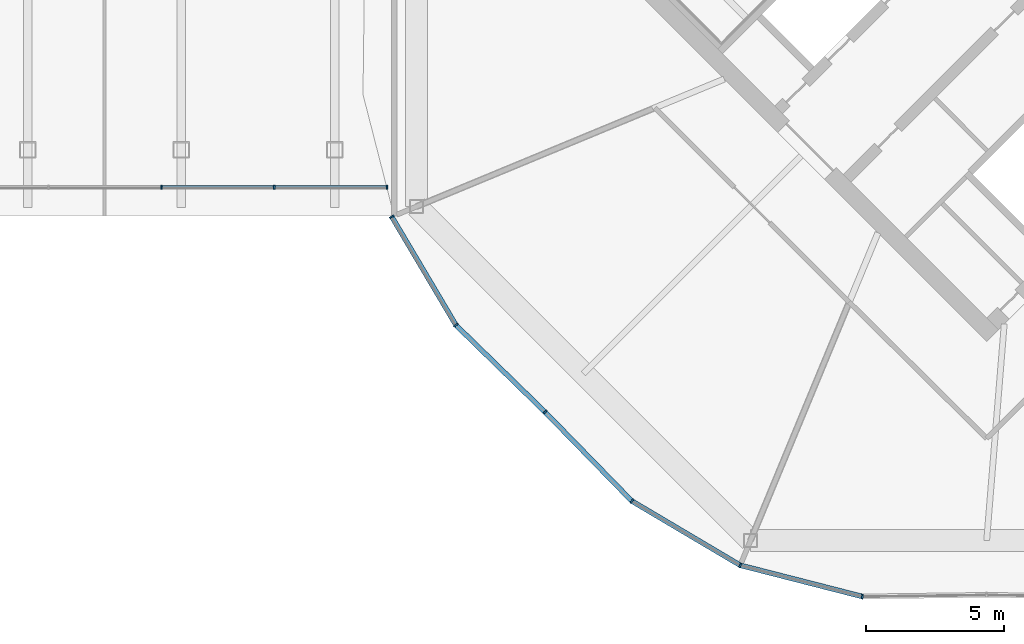
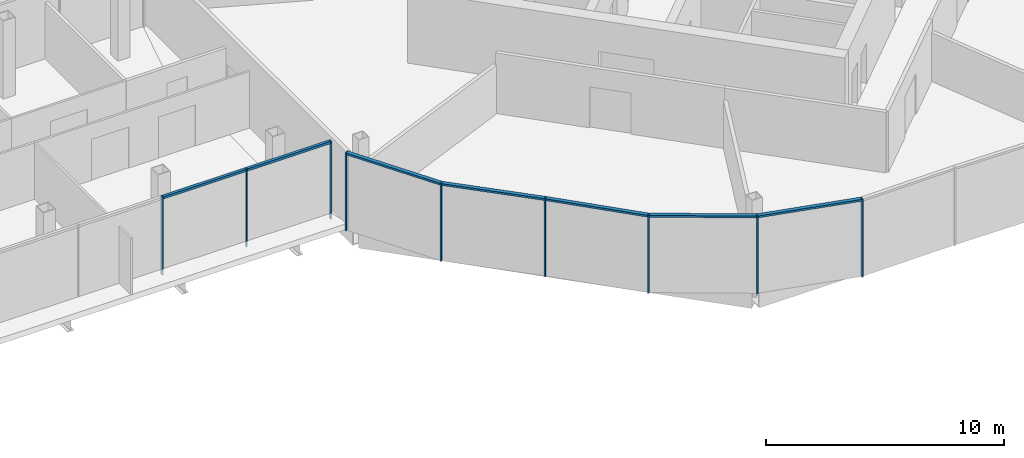
# One storey, part 12 of 26: 16 members, 3 elements without a shape of their own.
"""IFC4 building model written with IfcOpenShell, lengths in metres."""

from ifc_helpers import new_model, si_unit, direction, frame, origin, origin_2d, place, context, subcontext, project, spatial, rectangle, extrude, material, material_profile, profile_set, type_object, element, aggregate, save


model = new_model("IFC4")

# Units and contexts
model_context = context("Model", 3, precision=1e-05, world=origin(), true_north=direction((0.0, 1.0)))
body_context = subcontext(model_context, "Body", "Model", "MODEL_VIEW")
ifc_project = project(units=[si_unit("LENGTHUNIT", "METRE"), si_unit("AREAUNIT", "SQUARE_METRE"), si_unit("VOLUMEUNIT", "CUBIC_METRE"), si_unit("PLANEANGLEUNIT", "RADIAN"), si_unit("MASSUNIT", "GRAM", prefix="KILO")], contexts=[model_context])

# Site, building, storey
site_placement = place(None, origin())
site = spatial("IfcSite", under=ifc_project, at=site_placement, CompositionType="ELEMENT")
building_placement = place(site_placement, origin())
building = spatial("IfcBuilding", under=site, at=building_placement, Name="Ogive Gate Towers", CompositionType="ELEMENT")
storey_placement = place(building_placement, frame((0.0, 0.0, 148.800048828125)))
storey = spatial("IfcBuildingStorey", under=building, at=storey_placement, Name="L35", CompositionType="ELEMENT", Elevation=148.800048828125)

# Curtain wall, members
ifc_material = material(Name="Pale metal aluminium", Category="aluminium")
curtain_wall_type_1 = type_object("IfcCurtainWallType", Name="Gate block facade", PredefinedType="NOTDEFINED", material=ifc_material)
curtain_wall_1_placement = place(storey_placement, origin())
curtain_wall_1 = element("IfcCurtainWall", 1, at=curtain_wall_1_placement, inside=storey, type_object=curtain_wall_type_1, Name="CW3 BR ECW01", PredefinedType="NOTDEFINED")
ifc_material_profile_1 = material_profile(ifc_material, rectangle(XDim=0.139892578125, YDim=0.06005859375, at=origin_2d()), Name="60 x 140 aluminium box")
ifc_profile_set_1 = profile_set([ifc_material_profile_1], Name="Pale metal aluminium")
member_type_1 = type_object("IfcMemberType", Name="Gate block facade mullion 60 x 140", PredefinedType="MULLION", material=ifc_profile_set_1)
member_1_placement = place(storey_placement, frame((6.125, -7.85595703125, -0.300048828125), z_axis=(0.0, 0.0, 1.0), x_axis=(0.0, -1.0, 0.0)))
member_1 = element("IfcMember", 2, at=member_1_placement, type_object=member_type_1, Name="CW3 mullion", PredefinedType="MULLION", context=body_context, shape_type="SweptSolid", body=[
    extrude(rectangle(XDim=0.139892578125, YDim=0.06005859375, at=origin_2d()), origin(), (0.0, 0.0, 1.0), 4.0),
])
member_2_placement = place(storey_placement, frame((10.208251953125, -7.85595703125, -0.300048828125), z_axis=(0.0, 0.0, 1.0), x_axis=(0.0, -1.0, 0.0)))
member_2 = element("IfcMember", 3, at=member_2_placement, type_object=member_type_1, Name="CW3 mullion", PredefinedType="MULLION", context=body_context, shape_type="SweptSolid", body=[
    extrude(rectangle(XDim=0.139892578125, YDim=0.06005859375, at=origin_2d()), origin(), (0.0, 0.0, 1.0), 4.0),
])
member_3_placement = place(storey_placement, frame((14.29150390625, -7.85595703125, -0.300048828125), z_axis=(0.0, 0.0, 1.0), x_axis=(0.0, -1.0, 0.0)))
member_3 = element("IfcMember", 4, at=member_3_placement, type_object=member_type_1, Name="CW3 mullion", PredefinedType="MULLION", context=body_context, shape_type="SweptSolid", body=[
    extrude(rectangle(XDim=0.139892578125, YDim=0.06005859375, at=origin_2d()), origin(), (0.0, 0.0, 1.0), 4.0),
])
ifc_material_profile_2 = material_profile(ifc_material, rectangle(XDim=0.139892578125, YDim=0.1201171875, at=origin_2d()), Name="120 x 140 aluminium box")
ifc_profile_set_2 = profile_set([ifc_material_profile_2], Name="Pale metal aluminium")
member_type_2 = type_object("IfcMemberType", Name="Gate block facade transom 120 x 140", PredefinedType="USERDEFINED", material=ifc_profile_set_2)
member_4_placement = place(storey_placement, frame((6.15478515625, -7.85595703125, 3.639892578125), z_axis=(1.0, 0.0, 0.0), x_axis=(0.0, 1.0, 0.0)))
member_4 = element("IfcMember", 5, at=member_4_placement, type_object=member_type_2, Name="CW3 transom", ObjectType="TRANSOM", PredefinedType="USERDEFINED", context=body_context, shape_type="SweptSolid", body=[
    extrude(rectangle(XDim=0.139892578125, YDim=0.1201171875, at=origin_2d()), origin(), (0.0, 0.0, 1.0), 4.0234375),
])
member_5_placement = place(storey_placement, frame((10.23828125, -7.85595703125, 3.639892578125), z_axis=(1.0, 0.0, 0.0), x_axis=(0.0, 1.0, 0.0)))
member_5 = element("IfcMember", 6, at=member_5_placement, type_object=member_type_2, Name="CW3 transom", ObjectType="TRANSOM", PredefinedType="USERDEFINED", context=body_context, shape_type="SweptSolid", body=[
    extrude(rectangle(XDim=0.139892578125, YDim=0.1201171875, at=origin_2d()), origin(), (0.0, 0.0, 1.0), 4.023193359375),
])
aggregate(curtain_wall_1, [member_1, member_2, member_4, member_3, member_5])

curtain_wall_type_2 = type_object("IfcCurtainWallType", Name="Tower unitised wall, high zone", PredefinedType="NOTDEFINED", material=ifc_material)
curtain_wall_2_placement = place(storey_placement, origin())
curtain_wall_2 = element("IfcCurtainWall", 7, at=curtain_wall_2_placement, inside=storey, type_object=curtain_wall_type_2, Name="CW2 T2 ECW05", PredefinedType="NOTDEFINED")
ifc_material_profile_3 = material_profile(ifc_material, rectangle(XDim=0.179931640625, YDim=0.06005859375, at=origin_2d()), Name="60 x 180 aluminium box")
ifc_profile_set_3 = profile_set([ifc_material_profile_3], Name="Pale metal aluminium")
member_type_3 = type_object("IfcMemberType", Name="Tower unitised wall, high zone mullion 60 x 180", PredefinedType="MULLION", material=ifc_profile_set_3)
member_6_placement = place(storey_placement, frame((14.462890625, -8.91943359375, -0.300048828125), z_axis=(0.0, 0.0, 1.0), x_axis=(-0.860386439326, -0.509642202947, 0.0)))
member_6 = element("IfcMember", 8, at=member_6_placement, type_object=member_type_3, Name="CW2 mullion", PredefinedType="MULLION", context=body_context, shape_type="SweptSolid", body=[
    extrude(rectangle(XDim=0.179931640625, YDim=0.06005859375, at=origin_2d()), origin(), (0.0, 0.0, 1.0), 4.0),
])
member_7_placement = place(storey_placement, frame((16.7880859375, -12.845458984375, -0.300048828125), z_axis=(0.0, 0.0, 1.0), x_axis=(-0.78599718536, -0.618230074168, 0.0)))
member_7 = element("IfcMember", 9, at=member_7_placement, type_object=member_type_3, Name="CW2 mullion", PredefinedType="MULLION", context=body_context, shape_type="SweptSolid", body=[
    extrude(rectangle(XDim=0.179931640625, YDim=0.06005859375, at=origin_2d()), origin(), (0.0, 0.0, 1.0), 4.0),
])
member_8_placement = place(storey_placement, frame((20.01220703125, -15.987548828125, -0.300048828125), z_axis=(0.0, 0.0, 1.0), x_axis=(-0.697977963337, -0.716119237764, 0.0)))
member_8 = element("IfcMember", 10, at=member_8_placement, type_object=member_type_3, Name="CW2 mullion", PredefinedType="MULLION", context=body_context, shape_type="SweptSolid", body=[
    extrude(rectangle(XDim=0.179931640625, YDim=0.06005859375, at=origin_2d()), origin(), (0.0, 0.0, 1.0), 4.0),
])

curtain_wall_3_placement = place(storey_placement, origin())
curtain_wall_3 = element("IfcCurtainWall", 11, at=curtain_wall_3_placement, inside=storey, type_object=curtain_wall_type_2, Name="CW2 T2 ECW06", PredefinedType="NOTDEFINED")
member_9_placement = place(storey_placement, frame((23.154541015625, -19.2119140625, -0.300048828125), z_axis=(0.0, 0.0, 1.0), x_axis=(-0.618230074168, -0.78599718536, 0.0)))
member_9 = element("IfcMember", 12, at=member_9_placement, type_object=member_type_3, Name="CW2 mullion", PredefinedType="MULLION", context=body_context, shape_type="SweptSolid", body=[
    extrude(rectangle(XDim=0.179931640625, YDim=0.06005859375, at=origin_2d()), origin(), (0.0, 0.0, 1.0), 4.0),
])
member_10_placement = place(storey_placement, frame((27.0791015625, -21.53662109375, -0.300048828125), z_axis=(0.0, 0.0, 1.0), x_axis=(-0.382683432365, -0.923879532511, 0.0)))
member_10 = element("IfcMember", 13, at=member_10_placement, type_object=member_type_3, Name="CW2 mullion", PredefinedType="MULLION", context=body_context, shape_type="SweptSolid", body=[
    extrude(rectangle(XDim=0.179931640625, YDim=0.06005859375, at=origin_2d()), origin(), (0.0, 0.0, 1.0), 4.0),
])
member_11_placement = place(storey_placement, frame((31.498291015625, -22.66796875, -0.300048828125), z_axis=(0.0, 0.0, 1.0), x_axis=(-0.118611931918, -0.992940687859, 0.0)))
member_11 = element("IfcMember", 14, at=member_11_placement, type_object=member_type_3, Name="CW2 mullion", PredefinedType="MULLION", context=body_context, shape_type="SweptSolid", body=[
    extrude(rectangle(XDim=0.179931640625, YDim=0.06005859375, at=origin_2d()), origin(), (0.0, 0.0, 1.0), 4.0),
])

# Member
ifc_material_profile_4 = material_profile(ifc_material, rectangle(XDim=0.179931640625, YDim=0.10009765625, at=origin_2d()), Name="100 x 180 aluminium box")
ifc_profile_set_4 = profile_set([ifc_material_profile_4], Name="Pale metal aluminium")
member_type_4 = type_object("IfcMemberType", Name="Tower unitised wall, high zone transom 100 x 180", PredefinedType="USERDEFINED", material=ifc_profile_set_4)
member_12_placement = place(storey_placement, frame((14.47802734375, -8.9453125, 3.64990234375), z_axis=(0.509649354625, -0.860382203053, 0.0), x_axis=(0.860382203053, 0.509649354625, 0.0)))
member_12 = element("IfcMember", 15, at=member_12_placement, type_object=member_type_4, Name="CW2 transom", ObjectType="TRANSOM", PredefinedType="USERDEFINED", context=body_context, shape_type="SweptSolid", body=[
    extrude(rectangle(XDim=0.179931640625, YDim=0.10009765625, at=origin_2d()), origin(), (0.0, 0.0, 1.0), 4.50439453125),
])

member_13_placement = place(storey_placement, frame((16.808837890625, -12.865478515625, 3.64990234375), z_axis=(0.716114793558, -0.697982523024, 0.0), x_axis=(0.697982523024, 0.716114793558, 0.0)))
member_13 = element("IfcMember", 16, at=member_13_placement, type_object=member_type_4, Name="CW2 transom", ObjectType="TRANSOM", PredefinedType="USERDEFINED", context=body_context, shape_type="SweptSolid", body=[
    extrude(rectangle(XDim=0.179931640625, YDim=0.10009765625, at=origin_2d()), origin(), (0.0, 0.0, 1.0), 4.443359375),
])

aggregate(curtain_wall_2, [member_6, member_7, member_12, member_8, member_13])

member_14_placement = place(storey_placement, frame((20.033203125, -16.00927734375, 3.64990234375), z_axis=(0.697982523024, -0.716114793558, 0.0), x_axis=(0.716114793558, 0.697982523024, 0.0)))
member_14 = element("IfcMember", 17, at=member_14_placement, type_object=member_type_4, Name="CW2 transom", ObjectType="TRANSOM", PredefinedType="USERDEFINED", context=body_context, shape_type="SweptSolid", body=[
    extrude(rectangle(XDim=0.179931640625, YDim=0.10009765625, at=origin_2d()), origin(), (0.0, 0.0, 1.0), 4.443359375),
])

member_15_placement = place(storey_placement, frame((23.17919921875, -19.226318359375, 3.64990234375), z_axis=(0.860382203053, -0.509649354625, 0.0), x_axis=(0.509649354625, 0.860382203053, 0.0)))
member_15 = element("IfcMember", 18, at=member_15_placement, type_object=member_type_4, Name="CW2 transom", ObjectType="TRANSOM", PredefinedType="USERDEFINED", context=body_context, shape_type="SweptSolid", body=[
    extrude(rectangle(XDim=0.179931640625, YDim=0.10009765625, at=origin_2d()), origin(), (0.0, 0.0, 1.0), 4.50439453125),
])

member_16_placement = place(storey_placement, frame((27.10693359375, -21.543701171875, 3.64990234375), z_axis=(0.968765769821, -0.247977586132, 0.0), x_axis=(0.247977586132, 0.968765769821, 0.0)))
member_16 = element("IfcMember", 19, at=member_16_placement, type_object=member_type_4, Name="CW2 transom", ObjectType="TRANSOM", PredefinedType="USERDEFINED", context=body_context, shape_type="SweptSolid", body=[
    extrude(rectangle(XDim=0.179931640625, YDim=0.10009765625, at=origin_2d()), origin(), (0.0, 0.0, 1.0), 4.504150390625),
])

aggregate(curtain_wall_3, [member_9, member_14, member_10, member_15, member_11, member_16])

save(model, "model.ifc")
